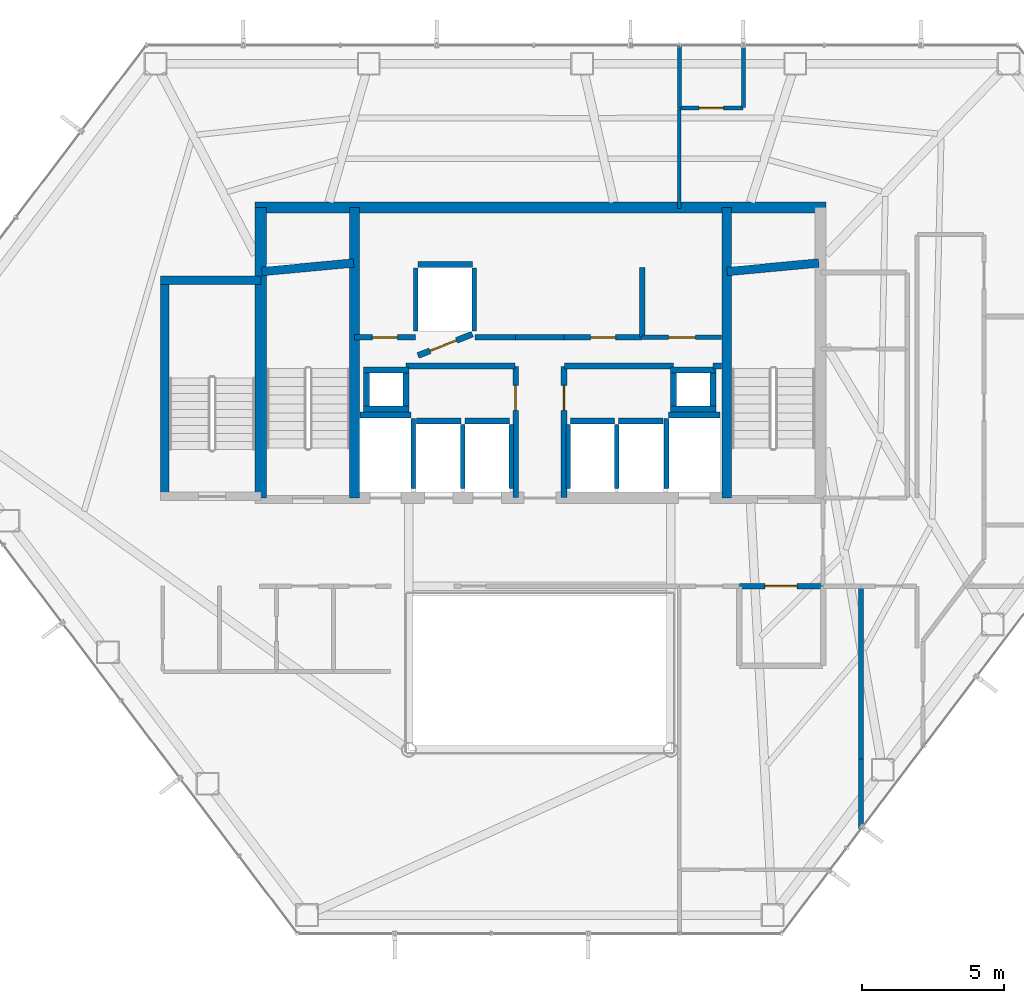
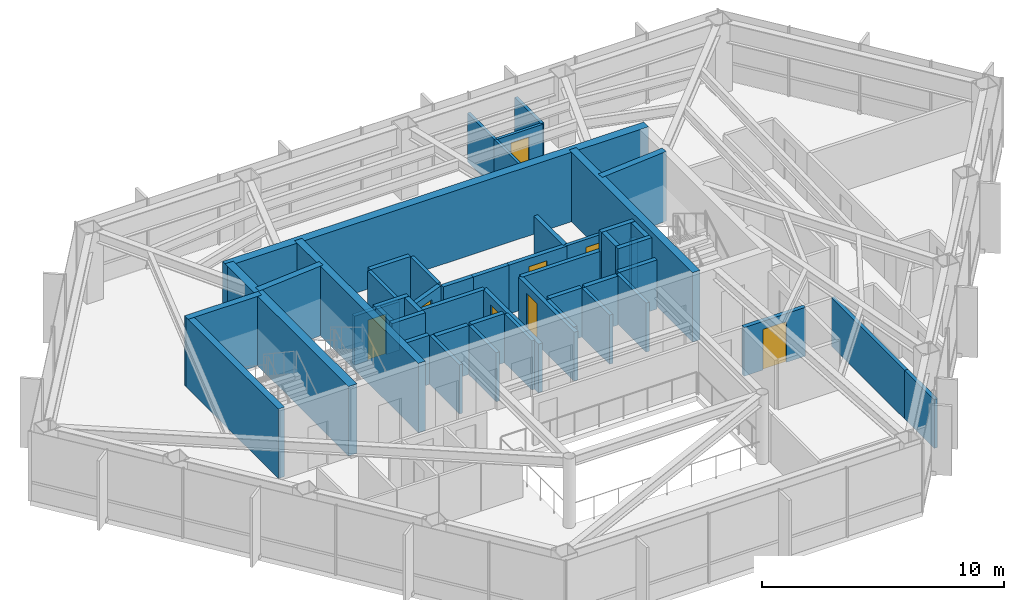
# One storey, part 26 of 29: 50 walls, 8 doors, 8 openings.
"""IFC4 building model written with IfcOpenShell, lengths in metres."""

from ifc_helpers import new_model, si_unit, direction, frame, frame_2d, origin, place, context, subcontext, project, spatial, rectangle, extrude, material, layer, layer_set, type_object, element, fill, save


model = new_model("IFC4")

# Units and contexts
model_context = context("Model", 3, precision=1e-05, world=origin(), true_north=direction((0.0, 1.0)))
body_context = subcontext(model_context, "Body", "Model", "MODEL_VIEW")
ifc_project = project(units=[si_unit("LENGTHUNIT", "METRE"), si_unit("AREAUNIT", "SQUARE_METRE"), si_unit("VOLUMEUNIT", "CUBIC_METRE"), si_unit("PLANEANGLEUNIT", "RADIAN"), si_unit("MASSUNIT", "GRAM", prefix="KILO")], contexts=[model_context])

# Site, building, storey
site_placement = place(None, origin())
site = spatial("IfcSite", under=ifc_project, at=site_placement, CompositionType="ELEMENT")
building_placement = place(site_placement, origin())
building = spatial("IfcBuilding", under=site, at=building_placement, Name="Zarrinselat Tower", CompositionType="ELEMENT")
storey_placement = place(building_placement, frame((0.0, 0.0, 138.3798828125)))
storey = spatial("IfcBuildingStorey", under=building, at=storey_placement, Name="L33", CompositionType="ELEMENT", Elevation=138.3798828125)

# Walls
ifc_material_1 = material(Name="Fire-Rated Gypsum Board Partition", Category="gypsum")
ifc_layer_1 = layer(ifc_material_1, 0.1650390625)
ifc_layer_set_1 = layer_set([ifc_layer_1], Name="Fire-Rated Gypsum Board Partition")
wall_type_1 = type_object("IfcWallType", Name="WAL-PART-DEMISE", PredefinedType="PARTITIONING", material=ifc_layer_set_1)
wall_1_placement = place(storey_placement, frame((49.68359375, 24.077880859375, 0.0), z_axis=(0.0, 0.0, 1.0), x_axis=(0.0, 1.0, 0.0)))
element("IfcWall", 1, at=wall_1_placement, inside=storey, type_object=wall_type_1, Name="L33 Partition Wall 48", PredefinedType="PARTITIONING", context=body_context, shape_type="SweptSolid", body=[
    extrude(rectangle(XDim=6.052001953125, YDim=0.1650390625, at=frame_2d((3.02587890625, 0.0))), origin(), (0.0, 0.0, 1.0), 2.45703125),
])
wall_2_placement = place(storey_placement, frame((49.68359375, 21.639404296875, 0.0), z_axis=(0.0, 0.0, 1.0), x_axis=(0.0, 1.0, 0.0)))
element("IfcWall", 2, at=wall_2_placement, inside=storey, type_object=wall_type_1, Name="L33 Partition Wall 49", PredefinedType="PARTITIONING", context=body_context, shape_type="SweptSolid", body=[
    extrude(rectangle(XDim=2.4384765625, YDim=0.1650390625, at=frame_2d((1.21923828125, 0.0))), origin(), (0.0, 0.0, 1.0), 2.45703125),
])

# Wall, opening, door
ifc_material_2 = material(Name="Concrete C40/50", Category="concrete")
ifc_layer_2 = layer(ifc_material_2, 0.18994140625)
ifc_layer_set_2 = layer_set([ifc_layer_2], Name="Concrete C40/50")
wall_type_2 = type_object("IfcWallType", Name="WAL-PART-EI120", PredefinedType="PARTITIONING", material=ifc_layer_set_2)
wall_3_placement = place(storey_placement, frame((45.405029296875, 30.14990234375, 0.0), z_axis=(0.0, 0.0, 1.0), x_axis=(1.0, 0.0, 0.0)))
wall_3 = element("IfcWall", 3, at=wall_3_placement, inside=storey, type_object=wall_type_2, Name="L33 Partition Wall 12", PredefinedType="PARTITIONING", context=body_context, shape_type="SweptSolid", body=[
    extrude(rectangle(XDim=2.925048828125, YDim=0.18994140625, at=frame_2d((1.46240234375, 0.0))), origin(), (0.0, 0.0, 1.0), 2.45703125),
])
opening_1_placement = place(wall_3_placement, frame((0.902587890625, 0.0, 0.0)))
opening_1 = element("IfcOpeningElement", 4, at=opening_1_placement, cuts=wall_3, Name="Opening ID-02", PredefinedType="OPENING", context=body_context, shape_type="SweptSolid", body=[
    extrude(rectangle(XDim=1.1201171875, YDim=2.050048828125, at=frame_2d((0.56005859375, 1.02490234375))), frame((0.0, 0.10498046875, 0.0), z_axis=(0.0, -1.0, 0.0), x_axis=(1.0, 0.0, 0.0)), (0.0, 0.0, 1.0), 0.2099609375),
])
ifc_material_3 = material(Name="Steel S355J2", Category="steel")
door_type_1 = type_object("IfcDoorType", Name="DR-INT-FD60-W", OperationType="NOTDEFINED", PredefinedType="DOOR", material=ifc_material_3)
door_1_placement = place(opening_1_placement, origin())
door_1 = element("IfcDoor", 5, at=door_1_placement, inside=storey, type_object=door_type_1, Name="L33 Interior Door P12", OperationType="SINGLE_SWING_RIGHT", OverallHeight=2.050048828125, OverallWidth=1.1201171875, PredefinedType="DOOR", context=body_context, shape_type="SweptSolid", body=[
    extrude(rectangle(XDim=1.1201171875, YDim=2.050048828125, at=frame_2d((0.56005859375, 1.02490234375))), frame((0.0, 0.02490234375, 0.0), z_axis=(0.0, -1.0, 0.0), x_axis=(1.0, 0.0, 0.0)), (0.0, 0.0, 1.0), 0.050048828125),
])
fill(opening_1, door_1)

ifc_material_4 = material(Name="Fire-Rated Gypsum Board Partition", Category="gypsum")
ifc_layer_3 = layer(ifc_material_4, 0.14990234375)
ifc_layer_set_3 = layer_set([ifc_layer_3], Name="Fire-Rated Gypsum Board Partition")
wall_type_3 = type_object("IfcWallType", Name="WAL-PART-EI60", PredefinedType="PARTITIONING", material=ifc_layer_set_3)
wall_4_placement = place(storey_placement, frame((42.0048828125, 38.889892578125, 0.0), z_axis=(0.0, 0.0, 1.0), x_axis=(1.0, 0.0, 0.0)))
wall_4 = element("IfcWall", 6, at=wall_4_placement, inside=storey, type_object=wall_type_3, Name="L33 Partition Wall 7", PredefinedType="PARTITIONING", context=body_context, shape_type="SweptSolid", body=[
    extrude(rectangle(XDim=2.780029296875, YDim=0.14990234375, at=frame_2d((1.39013671875, 0.0))), origin(), (0.0, 0.0, 1.0), 2.45703125),
])
opening_2_placement = place(wall_4_placement, frame((0.919921875, 0.0, 0.0)))
opening_2 = element("IfcOpeningElement", 7, at=opening_2_placement, cuts=wall_4, Name="Opening ID-04", PredefinedType="OPENING", context=body_context, shape_type="SweptSolid", body=[
    extrude(rectangle(XDim=0.93994140625, YDim=2.050048828125, at=frame_2d((0.469970703125, 1.02490234375))), frame((0.0, 0.0849609375, 0.0), z_axis=(0.0, -1.0, 0.0), x_axis=(1.0, 0.0, 0.0)), (0.0, 0.0, 1.0), 0.169921875),
])
ifc_material_5 = material(Name="Fire-Rated Gypsum Board Partition")
door_type_2 = type_object("IfcDoorType", Name="DR-INT-FD30-ENT", OperationType="NOTDEFINED", PredefinedType="DOOR", material=ifc_material_5)
door_2_placement = place(opening_2_placement, origin())
door_2 = element("IfcDoor", 8, at=door_2_placement, inside=storey, type_object=door_type_2, Name="L33 Interior Door P7", OperationType="SINGLE_SWING_RIGHT", OverallHeight=2.050048828125, OverallWidth=0.93994140625, PredefinedType="DOOR", context=body_context, shape_type="SweptSolid", body=[
    extrude(rectangle(XDim=0.93994140625, YDim=2.050048828125, at=frame_2d((0.469970703125, 1.02490234375))), frame((0.0, 0.02490234375, 0.0), z_axis=(0.0, -1.0, 0.0), x_axis=(1.0, 0.0, 0.0)), (0.0, 0.0, 1.0), 0.050048828125),
])
fill(opening_2, door_2)

ifc_material_6 = material(Name="Concrete C40/50", Category="concrete")
ifc_layer_4 = layer(ifc_material_6, 0.199951171875)
ifc_layer_set_4 = layer_set([ifc_layer_4], Name="Concrete C40/50")
wall_type_4 = type_object("IfcWallType", Name="WAL-PART-PLANT", PredefinedType="PARTITIONING", material=ifc_layer_set_4)
wall_5_placement = place(storey_placement, frame((37.550048828125, 33.264892578125, 0.0), z_axis=(0.0, 0.0, 1.0), x_axis=(0.0, 1.0, 0.0)))
wall_5 = element("IfcWall", 9, at=wall_5_placement, inside=storey, type_object=wall_type_4, Name="L33 Partition Wall 1", PredefinedType="PARTITIONING", context=body_context, shape_type="SweptSolid", body=[
    extrude(rectangle(XDim=4.59521484375, YDim=0.199951171875, at=frame_2d((2.297607421875, 0.0))), origin(), (0.0, 0.0, 1.0), 2.45703125),
])
opening_3_placement = place(wall_5_placement, frame((3.0576171875, 0.0, 0.0)))
opening_3 = element("IfcOpeningElement", 10, at=opening_3_placement, cuts=wall_5, Name="Opening ID-03", PredefinedType="OPENING", context=body_context, shape_type="SweptSolid", body=[
    extrude(rectangle(XDim=0.8798828125, YDim=2.050048828125, at=frame_2d((0.43994140625, 1.02490234375))), frame((0.0, 0.10986328125, 0.0), z_axis=(0.0, -1.0, 0.0), x_axis=(1.0, 0.0, 0.0)), (0.0, 0.0, 1.0), 0.219970703125),
])
ifc_material_7 = material(Name="Steel S355J2", Category="steel")
door_type_3 = type_object("IfcDoorType", Name="DR-INT-FD60-S", OperationType="NOTDEFINED", PredefinedType="DOOR", material=ifc_material_7)
door_3_placement = place(opening_3_placement, origin())
door_3 = element("IfcDoor", 11, at=door_3_placement, inside=storey, type_object=door_type_3, Name="L33 Interior Door P1", OperationType="SINGLE_SWING_LEFT", OverallHeight=2.050048828125, OverallWidth=0.8798828125, PredefinedType="DOOR", context=body_context, shape_type="SweptSolid", body=[
    extrude(rectangle(XDim=0.8798828125, YDim=2.050048828125, at=frame_2d((0.43994140625, 1.02490234375))), frame((0.0, 0.02490234375, 0.0), z_axis=(0.0, -1.0, 0.0), x_axis=(1.0, 0.0, 0.0)), (0.0, 0.0, 1.0), 0.050048828125),
])
fill(opening_3, door_3)

# Wall
wall_6_placement = place(storey_placement, frame((33.705078125, 37.8798828125, 0.0), z_axis=(0.0, 0.0, 1.0), x_axis=(1.0, 0.0, 0.0)))
element("IfcWall", 12, at=wall_6_placement, inside=storey, type_object=wall_type_4, Name="L33 Partition Wall 2", PredefinedType="PARTITIONING", context=body_context, shape_type="SweptSolid", body=[
    extrude(rectangle(XDim=3.824951171875, YDim=0.199951171875, at=frame_2d((1.91259765625, 0.0))), origin(), (0.0, 0.0, 1.0), 2.45703125),
])

# Wall, opening, door
wall_7_placement = place(storey_placement, frame((31.885009765625, 38.889892578125, 0.0), z_axis=(0.0, 0.0, 1.0), x_axis=(1.0, 0.0, 0.0)))
wall_7 = element("IfcWall", 13, at=wall_7_placement, inside=storey, type_object=wall_type_4, Name="L33 Partition Wall 3", PredefinedType="PARTITIONING", context=body_context, shape_type="SweptSolid", body=[
    extrude(rectangle(XDim=2.14990234375, YDim=0.199951171875, at=frame_2d((1.074951171875, 0.0))), origin(), (0.0, 0.0, 1.0), 2.45703125),
])
opening_4_placement = place(wall_7_placement, frame((0.635009765625, 0.0, 0.0)))
opening_4 = element("IfcOpeningElement", 14, at=opening_4_placement, cuts=wall_7, Name="Opening ID-03", PredefinedType="OPENING", context=body_context, shape_type="SweptSolid", body=[
    extrude(rectangle(XDim=0.8798828125, YDim=2.050048828125, at=frame_2d((0.43994140625, 1.02490234375))), frame((0.0, 0.10986328125, 0.0), z_axis=(0.0, -1.0, 0.0), x_axis=(1.0, 0.0, 0.0)), (0.0, 0.0, 1.0), 0.219970703125),
])
door_4_placement = place(opening_4_placement, origin())
door_4 = element("IfcDoor", 15, at=door_4_placement, inside=storey, type_object=door_type_3, Name="L33 Interior Door P3", OperationType="SINGLE_SWING_RIGHT", OverallHeight=2.050048828125, OverallWidth=0.8798828125, PredefinedType="DOOR", context=body_context, shape_type="SweptSolid", body=[
    extrude(rectangle(XDim=0.8798828125, YDim=2.050048828125, at=frame_2d((0.43994140625, 1.02490234375))), frame((0.0, 0.02490234375, 0.0), z_axis=(0.0, -1.0, 0.0), x_axis=(1.0, 0.0, 0.0)), (0.0, 0.0, 1.0), 0.050048828125),
])
fill(opening_4, door_4)

# Walls
wall_8_placement = place(storey_placement, frame((36.114990234375, 38.889892578125, 0.0), z_axis=(0.0, 0.0, 1.0), x_axis=(1.0, 0.0, 0.0)))
element("IfcWall", 16, at=wall_8_placement, inside=storey, type_object=wall_type_4, Name="L33 Partition Wall 4", PredefinedType="PARTITIONING", context=body_context, shape_type="SweptSolid", body=[
    extrude(rectangle(XDim=1.43505859375, YDim=0.199951171875, at=frame_2d((0.717529296875, 0.0))), origin(), (0.0, 0.0, 1.0), 2.45703125),
])
wall_9_placement = place(storey_placement, frame((37.550048828125, 38.889892578125, 0.0), z_axis=(0.0, 0.0, 1.0), x_axis=(1.0, 0.0, 0.0)))
element("IfcWall", 17, at=wall_9_placement, inside=storey, type_object=wall_type_4, Name="L33 Partition Wall 5", PredefinedType="PARTITIONING", context=body_context, shape_type="SweptSolid", body=[
    extrude(rectangle(XDim=1.699951171875, YDim=0.199951171875, at=frame_2d((0.85009765625, 0.0))), origin(), (0.0, 0.0, 1.0), 2.45703125),
])

# Wall, opening, door
wall_10_placement = place(storey_placement, frame((39.25, 38.889892578125, 0.0), z_axis=(0.0, 0.0, 1.0), x_axis=(1.0, 0.0, 0.0)))
wall_10 = element("IfcWall", 18, at=wall_10_placement, inside=storey, type_object=wall_type_4, Name="L33 Partition Wall 6", PredefinedType="PARTITIONING", context=body_context, shape_type="SweptSolid", body=[
    extrude(rectangle(XDim=2.7451171875, YDim=0.199951171875, at=frame_2d((1.37255859375, 0.0))), origin(), (0.0, 0.0, 1.0), 2.45703125),
])
opening_5_placement = place(wall_10_placement, frame((0.9326171875, 0.0, 0.0)))
opening_5 = element("IfcOpeningElement", 19, at=opening_5_placement, cuts=wall_10, Name="Opening ID-03", PredefinedType="OPENING", context=body_context, shape_type="SweptSolid", body=[
    extrude(rectangle(XDim=0.8798828125, YDim=2.050048828125, at=frame_2d((0.43994140625, 1.02490234375))), frame((0.0, 0.10986328125, 0.0), z_axis=(0.0, -1.0, 0.0), x_axis=(1.0, 0.0, 0.0)), (0.0, 0.0, 1.0), 0.219970703125),
])
door_5_placement = place(opening_5_placement, origin())
door_5 = element("IfcDoor", 20, at=door_5_placement, inside=storey, type_object=door_type_3, Name="L33 Interior Door P6", OperationType="SINGLE_SWING_LEFT", OverallHeight=2.050048828125, OverallWidth=0.8798828125, PredefinedType="DOOR", context=body_context, shape_type="SweptSolid", body=[
    extrude(rectangle(XDim=0.8798828125, YDim=2.050048828125, at=frame_2d((0.43994140625, 1.02490234375))), frame((0.0, 0.02490234375, 0.0), z_axis=(0.0, -1.0, 0.0), x_axis=(1.0, 0.0, 0.0)), (0.0, 0.0, 1.0), 0.050048828125),
])
fill(opening_5, door_5)

# Walls
wall_11_placement = place(storey_placement, frame((39.27001953125, 37.8798828125, 0.0), z_axis=(0.0, 0.0, 1.0), x_axis=(1.0, 0.0, 0.0)))
element("IfcWall", 21, at=wall_11_placement, inside=storey, type_object=wall_type_4, Name="L33 Partition Wall 8", PredefinedType="PARTITIONING", context=body_context, shape_type="SweptSolid", body=[
    extrude(rectangle(XDim=3.824951171875, YDim=0.199951171875, at=frame_2d((1.91259765625, 0.0))), origin(), (0.0, 0.0, 1.0), 2.45703125),
])
wall_12_placement = place(storey_placement, frame((44.485107421875, 37.8798828125, 0.0), z_axis=(0.0, 0.0, 1.0), x_axis=(1.0, 0.0, 0.0)))
element("IfcWall", 22, at=wall_12_placement, inside=storey, type_object=wall_type_4, Name="L33 Partition Wall 9", PredefinedType="PARTITIONING", context=body_context, shape_type="SweptSolid", body=[
    extrude(rectangle(XDim=0.2998046875, YDim=0.199951171875, at=frame_2d((0.14990234375, 0.0))), origin(), (0.0, 0.0, 1.0), 2.45703125),
])

# Wall, opening, door
wall_13_placement = place(storey_placement, frame((39.25, 33.264892578125, 0.0), z_axis=(0.0, 0.0, 1.0), x_axis=(0.0, 1.0, 0.0)))
wall_13 = element("IfcWall", 23, at=wall_13_placement, inside=storey, type_object=wall_type_4, Name="L33 Partition Wall 10", PredefinedType="PARTITIONING", context=body_context, shape_type="SweptSolid", body=[
    extrude(rectangle(XDim=4.59521484375, YDim=0.199951171875, at=frame_2d((2.297607421875, 0.0))), origin(), (0.0, 0.0, 1.0), 2.45703125),
])
opening_6_placement = place(wall_13_placement, frame((3.0576171875, 0.0, 0.0)))
opening_6 = element("IfcOpeningElement", 24, at=opening_6_placement, cuts=wall_13, Name="Opening ID-03", PredefinedType="OPENING", context=body_context, shape_type="SweptSolid", body=[
    extrude(rectangle(XDim=0.8798828125, YDim=2.050048828125, at=frame_2d((0.43994140625, 1.02490234375))), frame((0.0, 0.10986328125, 0.0), z_axis=(0.0, -1.0, 0.0), x_axis=(1.0, 0.0, 0.0)), (0.0, 0.0, 1.0), 0.219970703125),
])
door_6_placement = place(opening_6_placement, origin())
door_6 = element("IfcDoor", 25, at=door_6_placement, inside=storey, type_object=door_type_3, Name="L33 Interior Door P10", OperationType="SINGLE_SWING_LEFT", OverallHeight=2.050048828125, OverallWidth=0.8798828125, PredefinedType="DOOR", context=body_context, shape_type="SweptSolid", body=[
    extrude(rectangle(XDim=0.8798828125, YDim=2.050048828125, at=frame_2d((0.43994140625, 1.02490234375))), frame((0.0, 0.02490234375, 0.0), z_axis=(0.0, -1.0, 0.0), x_axis=(1.0, 0.0, 0.0)), (0.0, 0.0, 1.0), 0.050048828125),
])
fill(opening_6, door_6)

# Walls
wall_14_placement = place(storey_placement, frame((42.0, 38.909912109375, 0.0), z_axis=(0.0, 0.0, 1.0), x_axis=(0.0, 1.0, 0.0)))
element("IfcWall", 26, at=wall_14_placement, inside=storey, type_object=wall_type_4, Name="L33 Partition Wall 11", PredefinedType="PARTITIONING", context=body_context, shape_type="SweptSolid", body=[
    extrude(rectangle(XDim=2.440185546875, YDim=0.199951171875, at=frame_2d((1.22021484375, 0.0))), origin(), (0.0, 0.0, 1.0), 2.45703125),
])
ifc_material_8 = material(Name="Fire-Rated Gypsum Board Partition", Category="gypsum")
ifc_layer_5 = layer(ifc_material_8, 0.1201171875)
ifc_layer_set_5 = layer_set([ifc_layer_5], Name="Fire-Rated Gypsum Board Partition")
wall_type_5 = type_object("IfcWallType", Name="WAL-PART-STD", PredefinedType="PARTITIONING", material=ifc_layer_set_5)
wall_15_placement = place(storey_placement, frame((43.300048828125, 43.4150390625, 0.0), z_axis=(0.0, 0.0, 1.0), x_axis=(0.0, 1.0, 0.0)))
element("IfcWall", 27, at=wall_15_placement, inside=storey, type_object=wall_type_5, Name="L33 Partition Wall 45", PredefinedType="PARTITIONING", context=body_context, shape_type="SweptSolid", body=[
    extrude(rectangle(XDim=3.52001953125, YDim=0.1201171875, at=frame_2d((1.760009765625, 0.0))), origin(), (0.0, 0.0, 1.0), 2.45703125),
])
ifc_material_9 = material(Name="Fire-Rated Gypsum Board Partition", Category="gypsum")
ifc_layer_6 = layer(ifc_material_9, 0.135009765625)
ifc_layer_set_6 = layer_set([ifc_layer_6], Name="Fire-Rated Gypsum Board Partition")
wall_type_6 = type_object("IfcWallType", Name="WAL-PART-WET", PredefinedType="PARTITIONING", material=ifc_layer_set_6)
wall_16_placement = place(storey_placement, frame((43.300048828125, 46.945068359375, 0.0), z_axis=(0.0, 0.0, 1.0), x_axis=(0.0, 1.0, 0.0)))
element("IfcWall", 28, at=wall_16_placement, inside=storey, type_object=wall_type_6, Name="L33 Partition Wall 46", PredefinedType="PARTITIONING", context=body_context, shape_type="SweptSolid", body=[
    extrude(rectangle(XDim=2.18994140625, YDim=0.135009765625, at=frame_2d((1.094970703125, 0.0))), origin(), (0.0, 0.0, 1.0), 2.45703125),
])

# Wall, opening, door
wall_17_placement = place(storey_placement, frame((43.320068359375, 46.93994140625, 0.0), z_axis=(0.0, 0.0, 1.0), x_axis=(1.0, 0.0, 0.0)))
wall_17 = element("IfcWall", 29, at=wall_17_placement, inside=storey, type_object=wall_type_6, Name="L33 Partition Wall 56", PredefinedType="PARTITIONING", context=body_context, shape_type="SweptSolid", body=[
    extrude(rectangle(XDim=2.2099609375, YDim=0.135009765625, at=frame_2d((1.10498046875, 0.0))), origin(), (0.0, 0.0, 1.0), 2.45703125),
])
opening_7_placement = place(wall_17_placement, frame((0.675048828125, 0.0, 0.0)))
opening_7 = element("IfcOpeningElement", 30, at=opening_7_placement, cuts=wall_17, Name="Opening ID-06", PredefinedType="OPENING", context=body_context, shape_type="SweptSolid", body=[
    extrude(rectangle(XDim=0.860107421875, YDim=2.050048828125, at=frame_2d((0.43017578125, 1.02490234375))), frame((0.0, 0.077392578125, 0.0), z_axis=(0.0, -1.0, 0.0), x_axis=(1.0, 0.0, 0.0)), (0.0, 0.0, 1.0), 0.155029296875),
])
ifc_material_10 = material(Name="Extruded Aluminium Alloy EN AW-6063 T6", Category="aluminium")
door_type_4 = type_object("IfcDoorType", Name="DR-INT-WET-900", OperationType="NOTDEFINED", PredefinedType="DOOR", material=ifc_material_10)
door_7_placement = place(opening_7_placement, origin())
door_7 = element("IfcDoor", 31, at=door_7_placement, inside=storey, type_object=door_type_4, Name="L33 Interior Door P56", OperationType="SINGLE_SWING_LEFT", OverallHeight=2.050048828125, OverallWidth=0.860107421875, PredefinedType="DOOR", context=body_context, shape_type="SweptSolid", body=[
    extrude(rectangle(XDim=0.860107421875, YDim=2.050048828125, at=frame_2d((0.43017578125, 1.02490234375))), frame((0.0, 0.02490234375, 0.0), z_axis=(0.0, -1.0, 0.0), x_axis=(1.0, 0.0, 0.0)), (0.0, 0.0, 1.0), 0.050048828125),
])
fill(opening_7, door_7)

# Walls
wall_18_placement = place(storey_placement, frame((45.550048828125, 46.9599609375, 0.0), z_axis=(0.0, 0.0, 1.0), x_axis=(0.0, 1.0, 0.0)))
element("IfcWall", 32, at=wall_18_placement, inside=storey, type_object=wall_type_6, Name="L33 Partition Wall 57", PredefinedType="PARTITIONING", context=body_context, shape_type="SweptSolid", body=[
    extrude(rectangle(XDim=2.175048828125, YDim=0.135009765625, at=frame_2d((1.08740234375, 0.0))), origin(), (0.0, 0.0, 1.0), 2.45703125),
])
ifc_material_11 = material(Name="Concrete C40/50", Category="concrete")
ifc_layer_7 = layer(ifc_material_11, 0.2099609375)
ifc_layer_set_7 = layer_set([ifc_layer_7], Name="Concrete C40/50")
wall_type_7 = type_object("IfcWallType", Name="WAL-SHAFT-210", PredefinedType="SOLIDWALL", material=ifc_layer_set_7)
wall_19_placement = place(storey_placement, frame((32.080078125, 36.155029296875, 0.0), z_axis=(0.0, 0.0, 1.0), x_axis=(1.0, 0.0, 0.0)))
element("IfcWall", 33, at=wall_19_placement, inside=storey, type_object=wall_type_7, Name="L33 Lift FFL1 North Shaft Wall", PredefinedType="SOLIDWALL", context=body_context, shape_type="SweptSolid", body=[
    extrude(rectangle(XDim=1.7998046875, YDim=0.2099609375, at=frame_2d((0.89990234375, 0.0))), origin(), (0.0, 0.0, 1.0), 2.47216796875),
])
wall_20_placement = place(storey_placement, frame((33.949951171875, 33.580078125, 0.0), z_axis=(0.0, 0.0, 1.0), x_axis=(0.0, 1.0, 0.0)))
element("IfcWall", 34, at=wall_20_placement, inside=storey, type_object=wall_type_7, Name="L33 Lift FFL1 E Shaft Wall", PredefinedType="SOLIDWALL", context=body_context, shape_type="SweptSolid", body=[
    extrude(rectangle(XDim=2.449951171875, YDim=0.159912109375, at=frame_2d((1.22509765625, 0.0))), origin(), (0.0, 0.0, 1.0), 2.47216796875),
])
wall_21_placement = place(storey_placement, frame((42.919921875, 36.155029296875, 0.0), z_axis=(0.0, 0.0, 1.0), x_axis=(1.0, 0.0, 0.0)))
element("IfcWall", 35, at=wall_21_placement, inside=storey, type_object=wall_type_7, Name="L33 Lift FFL2 North Shaft Wall", PredefinedType="SOLIDWALL", context=body_context, shape_type="SweptSolid", body=[
    extrude(rectangle(XDim=1.800048828125, YDim=0.2099609375, at=frame_2d((0.89990234375, 0.0))), origin(), (0.0, 0.0, 1.0), 2.47216796875),
])
wall_22_placement = place(storey_placement, frame((42.85009765625, 33.580078125, 0.0), z_axis=(0.0, 0.0, 1.0), x_axis=(0.0, 1.0, 0.0)))
element("IfcWall", 36, at=wall_22_placement, inside=storey, type_object=wall_type_7, Name="L33 Lift FFL2 W Shaft Wall", PredefinedType="SOLIDWALL", context=body_context, shape_type="SweptSolid", body=[
    extrude(rectangle(XDim=2.449951171875, YDim=0.159912109375, at=frame_2d((1.22509765625, 0.0))), origin(), (0.0, 0.0, 1.0), 2.47216796875),
])
wall_23_placement = place(storey_placement, frame((34.070068359375, 35.955078125, 0.0), z_axis=(0.0, 0.0, 1.0), x_axis=(1.0, 0.0, 0.0)))
element("IfcWall", 37, at=wall_23_placement, inside=storey, type_object=wall_type_7, Name="L33 Lift PL5 North Shaft Wall", PredefinedType="SOLIDWALL", context=body_context, shape_type="SweptSolid", body=[
    extrude(rectangle(XDim=1.559814453125, YDim=0.2099609375, at=frame_2d((0.77978515625, 0.0))), origin(), (0.0, 0.0, 1.0), 2.47216796875),
])
wall_24_placement = place(storey_placement, frame((35.699951171875, 33.580078125, 0.0), z_axis=(0.0, 0.0, 1.0), x_axis=(0.0, 1.0, 0.0)))
element("IfcWall", 38, at=wall_24_placement, inside=storey, type_object=wall_type_7, Name="L33 Lift PL5 E Shaft Wall", PredefinedType="SOLIDWALL", context=body_context, shape_type="SweptSolid", body=[
    extrude(rectangle(XDim=2.25, YDim=0.159912109375, at=frame_2d((1.125, 0.0))), origin(), (0.0, 0.0, 1.0), 2.47216796875),
])
wall_25_placement = place(storey_placement, frame((35.77001953125, 35.955078125, 0.0), z_axis=(0.0, 0.0, 1.0), x_axis=(1.0, 0.0, 0.0)))
element("IfcWall", 39, at=wall_25_placement, inside=storey, type_object=wall_type_7, Name="L33 Lift PL6 North Shaft Wall", PredefinedType="SOLIDWALL", context=body_context, shape_type="SweptSolid", body=[
    extrude(rectangle(XDim=1.56005859375, YDim=0.2099609375, at=frame_2d((0.780029296875, 0.0))), origin(), (0.0, 0.0, 1.0), 2.47216796875),
])
wall_26_placement = place(storey_placement, frame((37.39990234375, 33.580078125, 0.0), z_axis=(0.0, 0.0, 1.0), x_axis=(0.0, 1.0, 0.0)))
element("IfcWall", 40, at=wall_26_placement, inside=storey, type_object=wall_type_7, Name="L33 Lift PL6 E Shaft Wall", PredefinedType="SOLIDWALL", context=body_context, shape_type="SweptSolid", body=[
    extrude(rectangle(XDim=2.25, YDim=0.159912109375, at=frame_2d((1.125, 0.0))), origin(), (0.0, 0.0, 1.0), 2.47216796875),
])

# Wall, opening, door
wall_27_placement = place(storey_placement, frame((34.1201171875, 38.25, 0.0), z_axis=(0.0, 0.0, 1.0), x_axis=(0.930804993012, 0.36551616241, 0.0)))
wall_27 = element("IfcWall", 41, at=wall_27_placement, inside=storey, type_object=wall_type_7, Name="L33 Lift PL7 Front Shaft Wall", PredefinedType="SOLIDWALL", context=body_context, shape_type="SweptSolid", body=[
    extrude(rectangle(XDim=2.052001953125, YDim=0.2099609375, at=frame_2d((1.02587890625, 0.0))), origin(), (0.0, 0.0, 1.0), 2.47216796875),
])
opening_8_placement = place(wall_27_placement, frame((0.455078125, 0.0, 0.0)))
opening_8 = element("IfcOpeningElement", 42, at=opening_8_placement, cuts=wall_27, Name="Opening LD-PL7", PredefinedType="OPENING", context=body_context, shape_type="SweptSolid", body=[
    extrude(rectangle(XDim=1.0, YDim=2.10009765625, at=frame_2d((0.5, 1.050048828125))), frame((0.0, 0.114990234375, 0.0), z_axis=(0.0, -1.0, 0.0), x_axis=(1.0, 0.0, 0.0)), (0.0, 0.0, 1.0), 0.22998046875),
])
ifc_material_12 = material(Name="Steel S355J2", Category="steel")
door_type_5 = type_object("IfcDoorType", Name="DR-LIFT-PS-1000", OperationType="NOTDEFINED", PredefinedType="DOOR", material=ifc_material_12)
door_8_placement = place(opening_8_placement, origin())
door_8 = element("IfcDoor", 43, at=door_8_placement, inside=storey, type_object=door_type_5, Name="L33 Lift PL7 Sliding Landing Door", OperationType="SLIDING_TO_LEFT", OverallHeight=2.10009765625, OverallWidth=1.0, PredefinedType="DOOR", context=body_context, shape_type="SweptSolid", body=[
    extrude(rectangle(XDim=1.0, YDim=2.10009765625, at=frame_2d((0.5, 1.050048828125))), frame((0.0, 0.02490234375, 0.0), z_axis=(0.0, -1.0, 0.0), x_axis=(1.0, 0.0, 0.0)), (0.0, 0.0, 1.0), 0.050048828125),
])
fill(opening_8, door_8)

# Walls
wall_28_placement = place(storey_placement, frame((34.1201171875, 41.455078125, 0.0), z_axis=(0.0, 0.0, 1.0), x_axis=(1.0, 0.0, 0.0)))
element("IfcWall", 44, at=wall_28_placement, inside=storey, type_object=wall_type_7, Name="L33 Lift PL7 Rear Shaft Wall", PredefinedType="SOLIDWALL", context=body_context, shape_type="SweptSolid", body=[
    extrude(rectangle(XDim=1.909912109375, YDim=0.2099609375, at=frame_2d((0.955078125, 0.0))), origin(), (0.0, 0.0, 1.0), 2.47216796875),
])
for number, where, z_axis, x_axis, name in (
    (45, (34.050048828125, 39.1201171875, 0.0), (0.0, 0.0, 1.0), (0.0, 1.0, 0.0), "L33 Lift PL7 W Shaft Wall"),
    (46, (36.10009765625, 39.1201171875, 0.0), (0.0, 0.0, 1.0), (0.0, 1.0, 0.0), "L33 Lift PL7 E Shaft Wall"),
):
    element("IfcWall", number, at=place(storey_placement, frame(where, z_axis=z_axis, x_axis=x_axis)), inside=storey, type_object=wall_type_7, Name=name, PredefinedType="SOLIDWALL", context=body_context, shape_type="SweptSolid", body=[
        extrude(rectangle(XDim=2.2099609375, YDim=0.159912109375, at=frame_2d((1.10498046875, 0.0))), origin(), (0.0, 0.0, 1.0), 2.47216796875),
    ])
wall_29_placement = place(storey_placement, frame((39.469970703125, 35.955078125, 0.0), z_axis=(0.0, 0.0, 1.0), x_axis=(1.0, 0.0, 0.0)))
element("IfcWall", 47, at=wall_29_placement, inside=storey, type_object=wall_type_7, Name="L33 Lift PL8 North Shaft Wall", PredefinedType="SOLIDWALL", context=body_context, shape_type="SweptSolid", body=[
    extrude(rectangle(XDim=1.56005859375, YDim=0.2099609375, at=frame_2d((0.780029296875, 0.0))), origin(), (0.0, 0.0, 1.0), 2.47216796875),
])
for number, where, z_axis, x_axis, name in (
    (48, (39.39990234375, 33.580078125, 0.0), (0.0, 0.0, 1.0), (0.0, 1.0, 0.0), "L33 Lift PL8 W Shaft Wall"),
    (49, (41.10009765625, 33.580078125, 0.0), (0.0, 0.0, 1.0), (0.0, 1.0, 0.0), "L33 Lift PL8 E Shaft Wall"),
):
    element("IfcWall", number, at=place(storey_placement, frame(where, z_axis=z_axis, x_axis=x_axis)), inside=storey, type_object=wall_type_7, Name=name, PredefinedType="SOLIDWALL", context=body_context, shape_type="SweptSolid", body=[
        extrude(rectangle(XDim=2.25, YDim=0.159912109375, at=frame_2d((1.125, 0.0))), origin(), (0.0, 0.0, 1.0), 2.47216796875),
    ])
wall_30_placement = place(storey_placement, frame((41.169921875, 35.955078125, 0.0), z_axis=(0.0, 0.0, 1.0), x_axis=(1.0, 0.0, 0.0)))
element("IfcWall", 50, at=wall_30_placement, inside=storey, type_object=wall_type_7, Name="L33 Lift PL9 North Shaft Wall", PredefinedType="SOLIDWALL", context=body_context, shape_type="SweptSolid", body=[
    extrude(rectangle(XDim=1.56005859375, YDim=0.2099609375, at=frame_2d((0.780029296875, 0.0))), origin(), (0.0, 0.0, 1.0), 2.47216796875),
])
for number, where, z_axis, x_axis, name in (
    (51, (32.2099609375, 36.375, 0.0), (0.0, 0.0, 1.0), (1.0, 0.0, 0.0), "L33 Core Riser RSR-W S Shaft Wall"),
    (52, (32.2099609375, 37.7451171875, 0.0), (0.0, 0.0, 1.0), (1.0, 0.0, 0.0), "L33 Core Riser RSR-W N Shaft Wall"),
):
    element("IfcWall", number, at=place(storey_placement, frame(where, z_axis=z_axis, x_axis=x_axis)), inside=storey, type_object=wall_type_7, Name=name, PredefinedType="SOLIDWALL", context=body_context, shape_type="SweptSolid", body=[
        extrude(rectangle(XDim=1.60009765625, YDim=0.2099609375, at=frame_2d((0.800048828125, 0.0))), origin(), (0.0, 0.0, 1.0), 3.5),
    ])
for number, where, z_axis, x_axis, name in (
    (53, (32.31494140625, 36.485107421875, 0.0), (0.0, 0.0, 1.0), (0.0, 1.0, 0.0), "L33 Core Riser RSR-W W Shaft Wall"),
    (54, (33.705078125, 36.485107421875, 0.0), (0.0, 0.0, 1.0), (0.0, 1.0, 0.0), "L33 Core Riser RSR-W E Shaft Wall"),
):
    element("IfcWall", number, at=place(storey_placement, frame(where, z_axis=z_axis, x_axis=x_axis)), inside=storey, type_object=wall_type_7, Name=name, PredefinedType="SOLIDWALL", context=body_context, shape_type="SweptSolid", body=[
        extrude(rectangle(XDim=1.14990234375, YDim=0.2099609375, at=frame_2d((0.574951171875, 0.0))), origin(), (0.0, 0.0, 1.0), 3.5),
    ])
for number, where, z_axis, x_axis, name in (
    (55, (42.989990234375, 36.375, 0.0), (0.0, 0.0, 1.0), (1.0, 0.0, 0.0), "L33 Core Riser RSR-E S Shaft Wall"),
    (56, (42.989990234375, 37.7451171875, 0.0), (0.0, 0.0, 1.0), (1.0, 0.0, 0.0), "L33 Core Riser RSR-E N Shaft Wall"),
):
    element("IfcWall", number, at=place(storey_placement, frame(where, z_axis=z_axis, x_axis=x_axis)), inside=storey, type_object=wall_type_7, Name=name, PredefinedType="SOLIDWALL", context=body_context, shape_type="SweptSolid", body=[
        extrude(rectangle(XDim=1.60009765625, YDim=0.2099609375, at=frame_2d((0.800048828125, 0.0))), origin(), (0.0, 0.0, 1.0), 3.5),
    ])
for number, where, z_axis, x_axis, name in (
    (57, (43.094970703125, 36.485107421875, 0.0), (0.0, 0.0, 1.0), (0.0, 1.0, 0.0), "L33 Core Riser RSR-E W Shaft Wall"),
    (58, (44.485107421875, 36.485107421875, 0.0), (0.0, 0.0, 1.0), (0.0, 1.0, 0.0), "L33 Core Riser RSR-E E Shaft Wall"),
):
    element("IfcWall", number, at=place(storey_placement, frame(where, z_axis=z_axis, x_axis=x_axis)), inside=storey, type_object=wall_type_7, Name=name, PredefinedType="SOLIDWALL", context=body_context, shape_type="SweptSolid", body=[
        extrude(rectangle(XDim=1.14990234375, YDim=0.2099609375, at=frame_2d((0.574951171875, 0.0))), origin(), (0.0, 0.0, 1.0), 3.5),
    ])
ifc_material_13 = material(Name="Concrete C40/50", Category="concrete")
ifc_layer_8 = layer(ifc_material_13, 0.300048828125)
ifc_layer_set_8 = layer_set([ifc_layer_8], Name="Concrete C40/50")
wall_type_8 = type_object("IfcWallType", Name="WAL-SHEAR-300", PredefinedType="SHEAR", material=ifc_layer_set_8)
wall_31_placement = place(storey_placement, frame((28.639892578125, 41.199951171875, 0.0), z_axis=(0.0, 0.0, 1.0), x_axis=(0.995687118776, 0.092774789157, 0.0)))
element("IfcWall", 59, at=wall_31_placement, inside=storey, type_object=wall_type_8, Name="L33 Stair 1 North Shaft Wall", PredefinedType="SHEAR", context=body_context, shape_type="SweptSolid", body=[
    extrude(rectangle(XDim=3.234130859375, YDim=0.300048828125, at=frame_2d((1.6171875, 0.0))), origin(), (0.0, 0.0, 1.0), 3.5),
])
wall_32_placement = place(storey_placement, frame((44.97998046875, 41.199951171875, 0.0), z_axis=(0.0, 0.0, 1.0), x_axis=(0.995686468965, 0.09278176286, 0.0)))
element("IfcWall", 60, at=wall_32_placement, inside=storey, type_object=wall_type_8, Name="L33 Stair 2 North Shaft Wall", PredefinedType="SHEAR", context=body_context, shape_type="SweptSolid", body=[
    extrude(rectangle(XDim=3.23388671875, YDim=0.300048828125, at=frame_2d((1.616943359375, 0.0))), origin(), (0.0, 0.0, 1.0), 3.5),
])
wall_33_placement = place(storey_placement, frame((25.080078125, 40.89990234375, 0.0), z_axis=(0.0, 0.0, 1.0), x_axis=(1.0, 0.0, 0.0)))
element("IfcWall", 61, at=wall_33_placement, inside=storey, type_object=wall_type_8, Name="L33 Stair 3 North Shear Wall", PredefinedType="SHEAR", context=body_context, shape_type="SweptSolid", body=[
    extrude(rectangle(XDim=3.52001953125, YDim=0.300048828125, at=frame_2d((1.760009765625, 0.0))), origin(), (0.0, 0.0, 1.0), 3.5),
])
wall_34_placement = place(storey_placement, frame((25.22998046875, 33.300048828125, 0.0), z_axis=(0.0, 0.0, 1.0), x_axis=(0.0, 1.0, 0.0)))
element("IfcWall", 62, at=wall_34_placement, inside=storey, type_object=wall_type_8, Name="L33 Stair 3 West Shear Wall", PredefinedType="SHEAR", context=body_context, shape_type="SweptSolid", body=[
    extrude(rectangle(XDim=7.599853515625, YDim=0.300048828125, at=frame_2d((3.7998046875, 0.0))), origin(), (0.0, 0.0, 1.0), 3.5),
])
ifc_material_14 = material(Name="Concrete C50/60", Category="concrete")
ifc_layer_9 = layer(ifc_material_14, 0.35009765625)
ifc_layer_set_9 = layer_set([ifc_layer_9], Name="Concrete C50/60")
wall_type_9 = type_object("IfcWallType", Name="WAL-SHEAR-350", PredefinedType="SHEAR", material=ifc_layer_set_9)
for number, where, z_axis, x_axis, name in (
    (63, (31.89501953125, 33.25, 0.0), (0.0, 0.0, 1.0), (0.0, 1.0, 0.0), "L33 Core Shear Wall ST1E"),
    (64, (44.965087890625, 33.25, 0.0), (0.0, 0.0, 1.0), (0.0, 1.0, 0.0), "L33 Core Shear Wall ST2W"),
):
    element("IfcWall", number, at=place(storey_placement, frame(where, z_axis=z_axis, x_axis=x_axis)), inside=storey, type_object=wall_type_9, Name=name, PredefinedType="SHEAR", context=body_context, shape_type="SweptSolid", body=[
        extrude(rectangle(XDim=10.199951171875, YDim=0.35009765625, at=frame_2d((5.10009765625, 0.0))), origin(), (0.0, 0.0, 1.0), 3.5),
    ])
ifc_material_15 = material(Name="Concrete C60/75", Category="concrete")
ifc_layer_10 = layer(ifc_material_15, 0.39990234375)
ifc_layer_set_10 = layer_set([ifc_layer_10], Name="Concrete C60/75")
wall_type_10 = type_object("IfcWallType", Name="WAL-SHEAR-400", PredefinedType="SHEAR", material=ifc_layer_set_10)
wall_35_placement = place(storey_placement, frame((28.39990234375, 43.449951171875, 0.0), z_axis=(0.0, 0.0, 1.0), x_axis=(1.0, 0.0, 0.0)))
element("IfcWall", 65, at=wall_35_placement, inside=storey, type_object=wall_type_10, Name="L33 North Core Shear Wall", PredefinedType="SHEAR", context=body_context, shape_type="SweptSolid", body=[
    extrude(rectangle(XDim=20.06005859375, YDim=0.39990234375, at=frame_2d((10.030029296875, 0.0))), origin(), (0.0, 0.0, 1.0), 3.5),
])
wall_36_placement = place(storey_placement, frame((28.60009765625, 33.25, 0.0), z_axis=(0.0, 0.0, 1.0), x_axis=(0.0, 1.0, 0.0)))
element("IfcWall", 66, at=wall_36_placement, inside=storey, type_object=wall_type_10, Name="L33 Core Shear Wall W", PredefinedType="SHEAR", context=body_context, shape_type="SweptSolid", body=[
    extrude(rectangle(XDim=10.199951171875, YDim=0.39990234375, at=frame_2d((5.10009765625, 0.0))), origin(), (0.0, 0.0, 1.0), 3.5),
])

save(model, "model.ifc")
